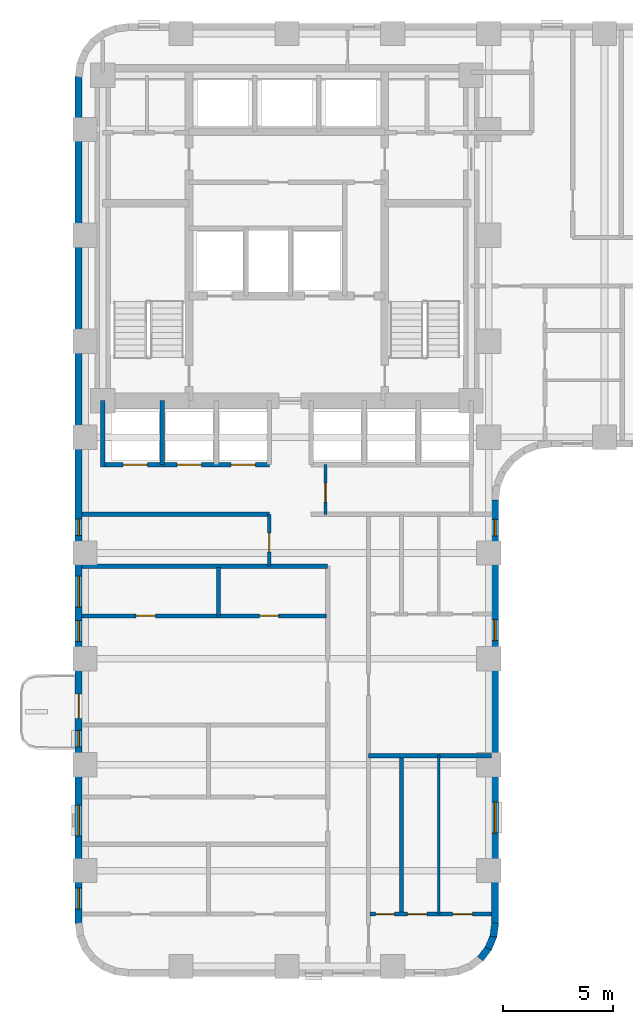
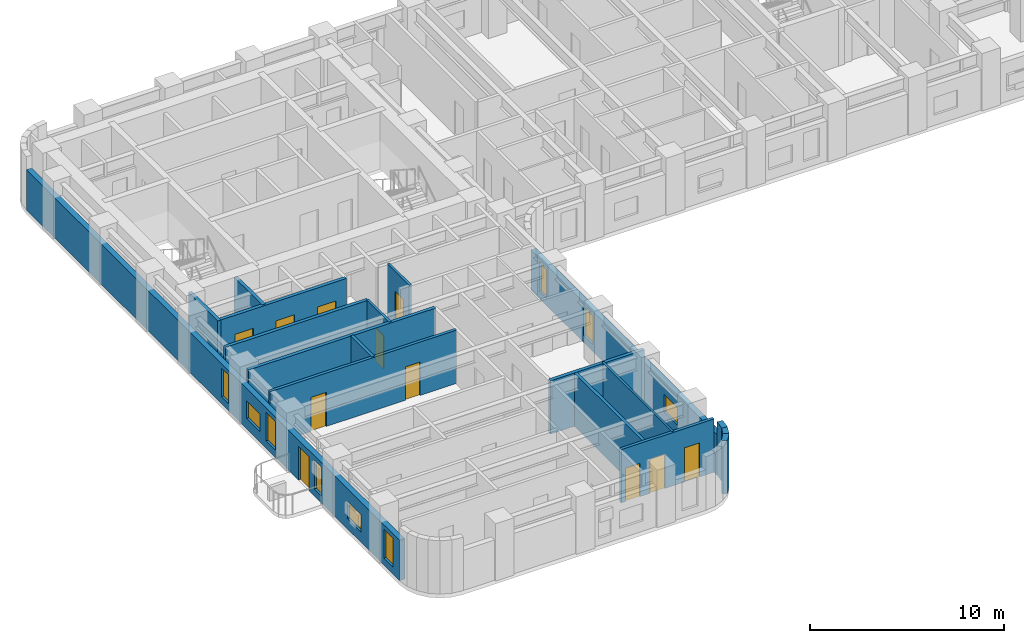
# One storey, part 3 of 11: 18 walls, 11 doors, 9 windows, 20 openings.
"""IFC4 building model written with IfcOpenShell, lengths in metres."""

from ifc_helpers import new_model, si_unit, direction, frame, frame_2d, origin, place, context, subcontext, project, spatial, rectangle, extrude, material, layer, layer_set, type_object, element, fill, save


model = new_model("IFC4")

# Units and contexts
model_context = context("Model", 3, precision=1e-05, world=origin(), true_north=direction((0.0, 1.0)))
body_context = subcontext(model_context, "Body", "Model", "MODEL_VIEW")
ifc_project = project(units=[si_unit("LENGTHUNIT", "METRE"), si_unit("AREAUNIT", "SQUARE_METRE"), si_unit("VOLUMEUNIT", "CUBIC_METRE"), si_unit("PLANEANGLEUNIT", "RADIAN"), si_unit("MASSUNIT", "GRAM", prefix="KILO")], contexts=[model_context])

# Site, building, storey
site_placement = place(None, origin())
site = spatial("IfcSite", under=ifc_project, at=site_placement, CompositionType="ELEMENT")
building_placement = place(site_placement, origin())
building = spatial("IfcBuilding", under=site, at=building_placement, Name="Orvandelia Arch Residences", CompositionType="ELEMENT")
storey_placement = place(building_placement, frame((0.0, 0.0, 46.60009765625)))
storey = spatial("IfcBuildingStorey", under=building, at=storey_placement, Name="L11", CompositionType="ELEMENT", Elevation=46.60009765625)

# Walls
ifc_material_1 = material(Name="Fire-Rated Corridor Partition")
ifc_layer_1 = layer(ifc_material_1, 0.199951171875, Name="Fire-Rated Corridor Partition")
ifc_layer_set_1 = layer_set([ifc_layer_1], Name="Fire-Rated Corridor Partition")
wall_type_1 = type_object("IfcWallType", Name="WL-CORR-200", PredefinedType="PARTITIONING", material=ifc_layer_set_1)
wall_1_placement = place(storey_placement, frame((5.1201171875, 23.39990234375, 0.0), z_axis=(0.0, 0.0, 1.0), x_axis=(1.0, 0.0, 0.0)))
element("IfcWall", 1, at=wall_1_placement, inside=storey, type_object=wall_type_1, Name="Interior Partition Wall WL-L11-WLNK-S", PredefinedType="PARTITIONING", context=body_context, shape_type="SweptSolid", body=[
    extrude(rectangle(XDim=11.1298828125, YDim=0.199951171875, at=frame_2d((5.56494140625, 0.0))), origin(), (0.0, 0.0, 1.0), 3.349853515625),
])
wall_2_placement = place(storey_placement, frame((5.1201171875, 25.75, 0.0), z_axis=(0.0, 0.0, 1.0), x_axis=(1.0, 0.0, 0.0)))
element("IfcWall", 2, at=wall_2_placement, inside=storey, type_object=wall_type_1, Name="Interior Partition Wall WL-L11-WLNK-NW2", PredefinedType="PARTITIONING", context=body_context, shape_type="SweptSolid", body=[
    extrude(rectangle(XDim=8.47998046875, YDim=0.199951171875, at=frame_2d((4.239990234375, 0.0))), origin(), (0.0, 0.0, 1.0), 3.349853515625),
])
ifc_material_2 = material(Name="Concrete C40/50", Category="concrete")
ifc_layer_2 = layer(ifc_material_2, 0.199951171875, Name="Concrete C40/50", Category="concrete")
ifc_layer_set_2 = layer_set([ifc_layer_2], Name="Concrete C40/50")
wall_type_2 = type_object("IfcWallType", Name="WL-DEM-200", PredefinedType="SOLIDWALL", material=ifc_layer_set_2)
wall_3_placement = place(storey_placement, frame((18.10009765625, 14.800048828125, 0.0), z_axis=(0.0, 0.0, 1.0), x_axis=(1.0, 0.0, 0.0)))
element("IfcWall", 3, at=wall_3_placement, inside=storey, type_object=wall_type_2, Name="Interior Partition Wall WL-L11-DEM-WR-148", PredefinedType="SOLIDWALL", context=body_context, shape_type="SweptSolid", body=[
    extrude(rectangle(XDim=5.579833984375, YDim=0.199951171875, at=frame_2d((2.7900390625, 0.0))), origin(), (0.0, 0.0, 1.0), 3.349853515625),
])

# Wall, openings, windows
ifc_material_3 = material(Name="Precast concrete C40/50", Category="concrete")
ifc_layer_3 = layer(ifc_material_3, 0.320068359375, Name="Precast concrete C40/50", Category="concrete")
ifc_layer_set_3 = layer_set([ifc_layer_3], Name="Precast concrete C40/50")
wall_type_3 = type_object("IfcWallType", Name="WL-EXT-STONE-320", PredefinedType="STANDARD", material=ifc_layer_set_3)
wall_4_placement = place(storey_placement, frame((23.840087890625, 26.39990234375, 0.0), z_axis=(0.0, 0.0, 1.0), x_axis=(0.0, -1.0, 0.0)))
wall_4 = element("IfcWall", 4, at=wall_4_placement, inside=storey, type_object=wall_type_3, Name="Coral-Limestone Precast Facade Wall L11-028", PredefinedType="STANDARD", context=body_context, shape_type="SweptSolid", body=[
    extrude(rectangle(XDim=19.199951171875, YDim=0.320068359375, at=frame_2d((9.60009765625, 0.0))), origin(), (0.0, 0.0, 1.0), 2.52978515625),
])
opening_1_placement = place(wall_4_placement, frame((13.699951171875, 0.0, 0.64990234375)))
opening_1 = element("IfcOpeningElement", 5, at=opening_1_placement, cuts=wall_4, Name="Opening W10", PredefinedType="OPENING", context=body_context, shape_type="SweptSolid", body=[
    extrude(rectangle(XDim=1.39990234375, YDim=1.10009765625, at=frame_2d((0.699951171875, 0.550048828125))), frame((0.0, 0.169921875, 0.0), z_axis=(0.0, -1.0, 0.0), x_axis=(1.0, 0.0, 0.0)), (0.0, 0.0, 1.0), 0.340087890625),
])
opening_2_placement = place(wall_4_placement, frame((0.8798828125, 0.0, 0.449951171875)))
opening_2 = element("IfcOpeningElement", 6, at=opening_2_placement, cuts=wall_4, Name="Opening W11", PredefinedType="OPENING", context=body_context, shape_type="SweptSolid", body=[
    extrude(rectangle(XDim=0.75, YDim=1.800048828125, at=frame_2d((0.375, 0.89990234375))), frame((0.0, 0.169921875, 0.0), z_axis=(0.0, -1.0, 0.0), x_axis=(1.0, 0.0, 0.0)), (0.0, 0.0, 1.0), 0.340087890625),
])
opening_3_placement = place(wall_4_placement, frame((5.427978515625, 0.0, 0.449951171875)))
opening_3 = element("IfcOpeningElement", 7, at=opening_3_placement, cuts=wall_4, Name="Opening W4", PredefinedType="OPENING", context=body_context, shape_type="SweptSolid", body=[
    extrude(rectangle(XDim=0.949951171875, YDim=1.800048828125, at=frame_2d((0.47509765625, 0.89990234375))), frame((0.0, 0.169921875, 0.0), z_axis=(0.0, -1.0, 0.0), x_axis=(1.0, 0.0, 0.0)), (0.0, 0.0, 1.0), 0.340087890625),
])
ifc_material_4 = material(Name="Tempered Low-E Insulated Glazing", Category="glass")
window_type_1 = type_object("IfcWindowType", Name="WIN-BED-0750x1800", PartitioningType="SINGLE_PANEL", PredefinedType="WINDOW", material=ifc_material_4)
window_1_placement = place(opening_2_placement, origin())
window_1 = element("IfcWindow", 8, at=window_1_placement, inside=storey, type_object=window_type_1, Name="Recessed Punched Window L11-022", OverallHeight=1.800048828125, OverallWidth=0.75, PartitioningType="SINGLE_PANEL", PredefinedType="WINDOW", context=body_context, shape_type="SweptSolid", body=[
    extrude(rectangle(XDim=0.75, YDim=1.800048828125, at=frame_2d((0.375, 0.89990234375))), frame((0.0, 0.030029296875, 0.0), z_axis=(0.0, -1.0, 0.0), x_axis=(1.0, 0.0, 0.0)), (0.0, 0.0, 1.0), 0.06005859375),
])
fill(opening_2, window_1)
window_type_2 = type_object("IfcWindowType", Name="WIN-CLR-1400x1100", PartitioningType="SINGLE_PANEL", PredefinedType="WINDOW", material=ifc_material_4)
window_2_placement = place(opening_1_placement, origin())
window_2 = element("IfcWindow", 9, at=window_2_placement, inside=storey, type_object=window_type_2, Name="Recessed Punched Window L11-021", OverallHeight=1.10009765625, OverallWidth=1.39990234375, PartitioningType="SINGLE_PANEL", PredefinedType="WINDOW", context=body_context, shape_type="SweptSolid", body=[
    extrude(rectangle(XDim=1.39990234375, YDim=1.10009765625, at=frame_2d((0.699951171875, 0.550048828125))), frame((0.0, 0.030029296875, 0.0), z_axis=(0.0, -1.0, 0.0), x_axis=(1.0, 0.0, 0.0)), (0.0, 0.0, 1.0), 0.06005859375),
])
fill(opening_1, window_2)
window_type_3 = type_object("IfcWindowType", Name="WIN-RES-0950x1800", PartitioningType="SINGLE_PANEL", PredefinedType="WINDOW", material=ifc_material_4)
window_3_placement = place(opening_3_placement, origin())
window_3 = element("IfcWindow", 10, at=window_3_placement, inside=storey, type_object=window_type_3, Name="Recessed Punched Window L11-023", OverallHeight=1.800048828125, OverallWidth=0.949951171875, PartitioningType="SINGLE_PANEL", PredefinedType="WINDOW", context=body_context, shape_type="SweptSolid", body=[
    extrude(rectangle(XDim=0.949951171875, YDim=1.800048828125, at=frame_2d((0.47509765625, 0.89990234375))), frame((0.0, 0.030029296875, 0.0), z_axis=(0.0, -1.0, 0.0), x_axis=(1.0, 0.0, 0.0)), (0.0, 0.0, 1.0), 0.06005859375),
])
fill(opening_3, window_3)

# Walls
wall_5_placement = place(storey_placement, frame((23.84130859375, 7.220947265625, 0.0), z_axis=(0.0, 0.0, 1.0), x_axis=(-0.130504898859, -0.991447664465, 0.0)))
element("IfcWall", 11, at=wall_5_placement, inside=storey, type_object=wall_type_3, Name="Coral-Limestone Precast Facade Wall L11-029", PredefinedType="STANDARD", context=body_context, shape_type="SweptSolid", body=[
    extrude(rectangle(XDim=0.626708984375, YDim=0.320068359375, at=frame_2d((0.3134765625, 0.0))), origin(), (0.0, 0.0, 1.0), 3.349853515625),
])
wall_6_placement = place(storey_placement, frame((23.7705078125, 6.639892578125, 0.0), z_axis=(0.0, 0.0, 1.0), x_axis=(-0.382787856107, -0.923836271867, 0.0)))
element("IfcWall", 12, at=wall_6_placement, inside=storey, type_object=wall_type_3, Name="Coral-Limestone Precast Facade Wall L11-030", PredefinedType="STANDARD", context=body_context, shape_type="SweptSolid", body=[
    extrude(rectangle(XDim=0.626220703125, YDim=0.320068359375, at=frame_2d((0.31298828125, 0.0))), origin(), (0.0, 0.0, 1.0), 3.349853515625),
])
wall_7_placement = place(storey_placement, frame((23.551513671875, 6.097412109375, 0.0), z_axis=(0.0, 0.0, 1.0), x_axis=(-0.608693302629, -0.793405610854, 0.0)))
element("IfcWall", 13, at=wall_7_placement, inside=storey, type_object=wall_type_3, Name="Coral-Limestone Precast Facade Wall L11-031", PredefinedType="STANDARD", context=body_context, shape_type="SweptSolid", body=[
    extrude(rectangle(XDim=0.62646484375, YDim=0.320068359375, at=frame_2d((0.313232421875, 0.0))), origin(), (0.0, 0.0, 1.0), 3.349853515625),
])

# Wall, openings, door, windows
wall_8_placement = place(storey_placement, frame((4.9599609375, 7.199951171875, 0.0), z_axis=(0.0, 0.0, 1.0), x_axis=(0.0, 1.0, 0.0)))
wall_8 = element("IfcWall", 14, at=wall_8_placement, inside=storey, type_object=wall_type_3, Name="Coral-Limestone Precast Facade Wall L11-042", PredefinedType="STANDARD", context=body_context, shape_type="SweptSolid", body=[
    extrude(rectangle(XDim=38.400146484375, YDim=0.320068359375, at=frame_2d((19.2001953125, 0.0))), origin(), (0.0, 0.0, 1.0), 2.52978515625),
])
opening_4_placement = place(wall_8_placement, frame((9.300048828125, 0.0, 0.0)))
opening_4 = element("IfcOpeningElement", 15, at=opening_4_placement, cuts=wall_8, Name="Opening BD1", PredefinedType="OPENING", context=body_context, shape_type="SweptSolid", body=[
    extrude(rectangle(XDim=1.10009765625, YDim=2.14990234375, at=frame_2d((0.550048828125, 1.074951171875))), frame((0.0, 0.169921875, 0.0), z_axis=(0.0, -1.0, 0.0), x_axis=(1.0, 0.0, 0.0)), (0.0, 0.0, 1.0), 0.340087890625),
])
opening_5_placement = place(wall_8_placement, frame((3.969970703125, 0.0, 0.64990234375)))
opening_5 = element("IfcOpeningElement", 16, at=opening_5_placement, cuts=wall_8, Name="Opening W10", PredefinedType="OPENING", context=body_context, shape_type="SweptSolid", body=[
    extrude(rectangle(XDim=1.39990234375, YDim=1.10009765625, at=frame_2d((0.699951171875, 0.550048828125))), frame((0.0, 0.169921875, 0.0), z_axis=(0.0, -1.0, 0.0), x_axis=(1.0, 0.0, 0.0)), (0.0, 0.0, 1.0), 0.340087890625),
])
opening_6_placement = place(wall_8_placement, frame((12.785400390625, 0.0, 0.449951171875)))
opening_6 = element("IfcOpeningElement", 17, at=opening_6_placement, cuts=wall_8, Name="Opening W4", PredefinedType="OPENING", context=body_context, shape_type="SweptSolid", body=[
    extrude(rectangle(XDim=0.949951171875, YDim=1.800048828125, at=frame_2d((0.47509765625, 0.89990234375))), frame((0.0, 0.169921875, 0.0), z_axis=(0.0, -1.0, 0.0), x_axis=(1.0, 0.0, 0.0)), (0.0, 0.0, 1.0), 0.340087890625),
])
opening_7_placement = place(wall_8_placement, frame((0.652099609375, 0.0, 0.449951171875)))
opening_7 = element("IfcOpeningElement", 18, at=opening_7_placement, cuts=wall_8, Name="Opening W4", PredefinedType="OPENING", context=body_context, shape_type="SweptSolid", body=[
    extrude(rectangle(XDim=0.949951171875, YDim=1.800048828125, at=frame_2d((0.47509765625, 0.89990234375))), frame((0.0, 0.169921875, 0.0), z_axis=(0.0, -1.0, 0.0), x_axis=(1.0, 0.0, 0.0)), (0.0, 0.0, 1.0), 0.340087890625),
])
opening_8_placement = place(wall_8_placement, frame((8.010009765625, 0.0, 0.449951171875)))
opening_8 = element("IfcOpeningElement", 19, at=opening_8_placement, cuts=wall_8, Name="Opening W11", PredefinedType="OPENING", context=body_context, shape_type="SweptSolid", body=[
    extrude(rectangle(XDim=0.75, YDim=1.800048828125, at=frame_2d((0.375, 0.89990234375))), frame((0.0, 0.169921875, 0.0), z_axis=(0.0, -1.0, 0.0), x_axis=(1.0, 0.0, 0.0)), (0.0, 0.0, 1.0), 0.340087890625),
])
opening_9_placement = place(wall_8_placement, frame((14.345458984375, 0.0, 0.64990234375)))
opening_9 = element("IfcOpeningElement", 20, at=opening_9_placement, cuts=wall_8, Name="Opening W10", PredefinedType="OPENING", context=body_context, shape_type="SweptSolid", body=[
    extrude(rectangle(XDim=1.39990234375, YDim=1.10009765625, at=frame_2d((0.699951171875, 0.550048828125))), frame((0.0, 0.169921875, 0.0), z_axis=(0.0, -1.0, 0.0), x_axis=(1.0, 0.0, 0.0)), (0.0, 0.0, 1.0), 0.340087890625),
])
opening_10_placement = place(wall_8_placement, frame((17.580078125, 0.0, 0.449951171875)))
opening_10 = element("IfcOpeningElement", 21, at=opening_10_placement, cuts=wall_8, Name="Opening W11", PredefinedType="OPENING", context=body_context, shape_type="SweptSolid", body=[
    extrude(rectangle(XDim=0.75, YDim=1.800048828125, at=frame_2d((0.375, 0.89990234375))), frame((0.0, 0.169921875, 0.0), z_axis=(0.0, -1.0, 0.0), x_axis=(1.0, 0.0, 0.0)), (0.0, 0.0, 1.0), 0.340087890625),
])
ifc_material_5 = material(Name="Thermally Broken Aluminium Glazed Door", Category="aluminium")
door_type_1 = type_object("IfcDoorType", Name="DR-BAL-GLAZ-1100", OperationType="NOTDEFINED", PredefinedType="DOOR", material=ifc_material_5)
door_1_placement = place(opening_4_placement, origin())
door_1 = element("IfcDoor", 22, at=door_1_placement, inside=storey, type_object=door_type_1, Name="Tree Balcony Glazed Door BAL-L11-W1", OperationType="SINGLE_SWING_RIGHT", OverallHeight=2.14990234375, OverallWidth=1.10009765625, PredefinedType="DOOR", context=body_context, shape_type="SweptSolid", body=[
    extrude(rectangle(XDim=1.10009765625, YDim=2.14990234375, at=frame_2d((0.550048828125, 1.074951171875))), frame((0.0, 0.02490234375, 0.0), z_axis=(0.0, -1.0, 0.0), x_axis=(1.0, 0.0, 0.0)), (0.0, 0.0, 1.0), 0.050048828125),
])
fill(opening_4, door_1)
window_4_placement = place(opening_8_placement, origin())
window_4 = element("IfcWindow", 23, at=window_4_placement, inside=storey, type_object=window_type_1, Name="Recessed Punched Window L11-030", OverallHeight=1.800048828125, OverallWidth=0.75, PartitioningType="SINGLE_PANEL", PredefinedType="WINDOW", context=body_context, shape_type="SweptSolid", body=[
    extrude(rectangle(XDim=0.75, YDim=1.800048828125, at=frame_2d((0.375, 0.89990234375))), frame((0.0, 0.030029296875, 0.0), z_axis=(0.0, -1.0, 0.0), x_axis=(1.0, 0.0, 0.0)), (0.0, 0.0, 1.0), 0.06005859375),
])
fill(opening_8, window_4)
window_5_placement = place(opening_10_placement, origin())
window_5 = element("IfcWindow", 24, at=window_5_placement, inside=storey, type_object=window_type_1, Name="Recessed Punched Window L11-032", OverallHeight=1.800048828125, OverallWidth=0.75, PartitioningType="SINGLE_PANEL", PredefinedType="WINDOW", context=body_context, shape_type="SweptSolid", body=[
    extrude(rectangle(XDim=0.75, YDim=1.800048828125, at=frame_2d((0.375, 0.89990234375))), frame((0.0, 0.030029296875, 0.0), z_axis=(0.0, -1.0, 0.0), x_axis=(1.0, 0.0, 0.0)), (0.0, 0.0, 1.0), 0.06005859375),
])
fill(opening_10, window_5)
window_6_placement = place(opening_5_placement, origin())
window_6 = element("IfcWindow", 25, at=window_6_placement, inside=storey, type_object=window_type_2, Name="Recessed Punched Window L11-027", OverallHeight=1.10009765625, OverallWidth=1.39990234375, PartitioningType="SINGLE_PANEL", PredefinedType="WINDOW", context=body_context, shape_type="SweptSolid", body=[
    extrude(rectangle(XDim=1.39990234375, YDim=1.10009765625, at=frame_2d((0.699951171875, 0.550048828125))), frame((0.0, 0.030029296875, 0.0), z_axis=(0.0, -1.0, 0.0), x_axis=(1.0, 0.0, 0.0)), (0.0, 0.0, 1.0), 0.06005859375),
])
fill(opening_5, window_6)
window_7_placement = place(opening_9_placement, origin())
window_7 = element("IfcWindow", 26, at=window_7_placement, inside=storey, type_object=window_type_2, Name="Recessed Punched Window L11-031", OverallHeight=1.10009765625, OverallWidth=1.39990234375, PartitioningType="SINGLE_PANEL", PredefinedType="WINDOW", context=body_context, shape_type="SweptSolid", body=[
    extrude(rectangle(XDim=1.39990234375, YDim=1.10009765625, at=frame_2d((0.699951171875, 0.550048828125))), frame((0.0, 0.030029296875, 0.0), z_axis=(0.0, -1.0, 0.0), x_axis=(1.0, 0.0, 0.0)), (0.0, 0.0, 1.0), 0.06005859375),
])
fill(opening_9, window_7)
window_8_placement = place(opening_6_placement, origin())
window_8 = element("IfcWindow", 27, at=window_8_placement, inside=storey, type_object=window_type_3, Name="Recessed Punched Window L11-028", OverallHeight=1.800048828125, OverallWidth=0.949951171875, PartitioningType="SINGLE_PANEL", PredefinedType="WINDOW", context=body_context, shape_type="SweptSolid", body=[
    extrude(rectangle(XDim=0.949951171875, YDim=1.800048828125, at=frame_2d((0.47509765625, 0.89990234375))), frame((0.0, 0.030029296875, 0.0), z_axis=(0.0, -1.0, 0.0), x_axis=(1.0, 0.0, 0.0)), (0.0, 0.0, 1.0), 0.06005859375),
])
fill(opening_6, window_8)
window_9_placement = place(opening_7_placement, origin())
window_9 = element("IfcWindow", 28, at=window_9_placement, inside=storey, type_object=window_type_3, Name="Recessed Punched Window L11-029", OverallHeight=1.800048828125, OverallWidth=0.949951171875, PartitioningType="SINGLE_PANEL", PredefinedType="WINDOW", context=body_context, shape_type="SweptSolid", body=[
    extrude(rectangle(XDim=0.949951171875, YDim=1.800048828125, at=frame_2d((0.47509765625, 0.89990234375))), frame((0.0, 0.030029296875, 0.0), z_axis=(0.0, -1.0, 0.0), x_axis=(1.0, 0.0, 0.0)), (0.0, 0.0, 1.0), 0.06005859375),
])
fill(opening_7, window_9)

# Wall
ifc_material_6 = material(Name="Lightweight Gypsum Stud Partition")
ifc_layer_4 = layer(ifc_material_6, 0.1201171875, Name="Lightweight Gypsum Stud Partition")
ifc_layer_set_4 = layer_set([ifc_layer_4], Name="Lightweight Gypsum Stud Partition")
wall_type_4 = type_object("IfcWallType", Name="WL-PART-120", PredefinedType="PARTITIONING", material=ifc_layer_set_4)
wall_9_placement = place(storey_placement, frame((21.284912109375, 7.6259765625, 0.0), z_axis=(0.0, 0.0, 1.0), x_axis=(0.0, 1.0, 0.0)))
element("IfcWall", 29, at=wall_9_placement, inside=storey, type_object=wall_type_4, Name="Interior Partition Wall WL-L11-U04-V2", PredefinedType="PARTITIONING", context=body_context, shape_type="SweptSolid", body=[
    extrude(rectangle(XDim=7.214111328125, YDim=0.1201171875, at=frame_2d((3.60693359375, 0.0))), origin(), (0.0, 0.0, 1.0), 3.349853515625),
])

# Wall, opening, door
ifc_material_7 = material(Name="Acoustic Gypsum Stud Partition")
ifc_layer_5 = layer(ifc_material_7, 0.14990234375, Name="Acoustic Gypsum Stud Partition")
ifc_layer_set_5 = layer_set([ifc_layer_5], Name="Acoustic Gypsum Stud Partition")
wall_type_5 = type_object("IfcWallType", Name="WL-PART-150", PredefinedType="PARTITIONING", material=ifc_layer_set_5)
wall_10_placement = place(storey_placement, frame((16.14990234375, 25.75, 0.0), z_axis=(0.0, 0.0, 1.0), x_axis=(0.0, 1.0, 0.0)))
wall_10 = element("IfcWall", 30, at=wall_10_placement, inside=storey, type_object=wall_type_5, Name="Interior Partition Wall WL-L11-HLS-EW", PredefinedType="PARTITIONING", context=body_context, shape_type="SweptSolid", body=[
    extrude(rectangle(XDim=2.25, YDim=0.14990234375, at=frame_2d((1.125, 0.0))), origin(), (0.0, 0.0, 1.0), 3.349853515625),
])
opening_11_placement = place(wall_10_placement, frame((0.550048828125, 0.0, 0.0)))
opening_11 = element("IfcOpeningElement", 31, at=opening_11_placement, cuts=wall_10, Name="Opening D5", PredefinedType="OPENING", context=body_context, shape_type="SweptSolid", body=[
    extrude(rectangle(XDim=0.8798828125, YDim=2.10009765625, at=frame_2d((0.43994140625, 1.050048828125))), frame((0.0, 0.0849609375, 0.0), z_axis=(0.0, -1.0, 0.0), x_axis=(1.0, 0.0, 0.0)), (0.0, 0.0, 1.0), 0.169921875),
])
ifc_material_8 = material(Name="Painted Galvanised Steel Service Door", Category="steel")
door_type_2 = type_object("IfcDoorType", Name="DR-SRV-880", OperationType="NOTDEFINED", PredefinedType="DOOR", material=ifc_material_8)
door_2_placement = place(opening_11_placement, origin())
door_2 = element("IfcDoor", 32, at=door_2_placement, inside=storey, type_object=door_type_2, Name="DR-L11-CSZ1A", OperationType="SINGLE_SWING_LEFT", OverallHeight=2.10009765625, OverallWidth=0.8798828125, PredefinedType="DOOR", context=body_context, shape_type="SweptSolid", body=[
    extrude(rectangle(XDim=0.8798828125, YDim=2.10009765625, at=frame_2d((0.43994140625, 1.050048828125))), frame((0.0, 0.02490234375, 0.0), z_axis=(0.0, -1.0, 0.0), x_axis=(1.0, 0.0, 0.0)), (0.0, 0.0, 1.0), 0.050048828125),
])
fill(opening_11, door_2)

wall_11_placement = place(storey_placement, frame((13.60009765625, 23.39990234375, 0.0), z_axis=(0.0, 0.0, 1.0), x_axis=(0.0, 1.0, 0.0)))
wall_11 = element("IfcWall", 33, at=wall_11_placement, inside=storey, type_object=wall_type_5, Name="Interior Partition Wall WL-L11-WLNK-W", PredefinedType="PARTITIONING", context=body_context, shape_type="SweptSolid", body=[
    extrude(rectangle(XDim=2.35009765625, YDim=0.14990234375, at=frame_2d((1.175048828125, 0.0))), origin(), (0.0, 0.0, 1.0), 3.349853515625),
])
opening_12_placement = place(wall_11_placement, frame((0.64990234375, 0.0, 0.0)))
opening_12 = element("IfcOpeningElement", 34, at=opening_12_placement, cuts=wall_11, Name="Opening D4", PredefinedType="OPENING", context=body_context, shape_type="SweptSolid", body=[
    extrude(rectangle(XDim=0.860107421875, YDim=2.10009765625, at=frame_2d((0.43017578125, 1.050048828125))), frame((0.0, 0.0849609375, 0.0), z_axis=(0.0, -1.0, 0.0), x_axis=(1.0, 0.0, 0.0)), (0.0, 0.0, 1.0), 0.169921875),
])
ifc_material_9 = material(Name="Moisture-Sealed Timber Bathroom Door", Category="wood")
door_type_3 = type_object("IfcDoorType", Name="DR-WET-900", OperationType="NOTDEFINED", PredefinedType="DOOR", material=ifc_material_9)
door_3_placement = place(opening_12_placement, origin())
door_3 = element("IfcDoor", 35, at=door_3_placement, inside=storey, type_object=door_type_3, Name="DR-L11-WLNKST", OperationType="SINGLE_SWING_LEFT", OverallHeight=2.10009765625, OverallWidth=0.860107421875, PredefinedType="DOOR", context=body_context, shape_type="SweptSolid", body=[
    extrude(rectangle(XDim=0.860107421875, YDim=2.10009765625, at=frame_2d((0.43017578125, 1.050048828125))), frame((0.0, 0.02490234375, 0.0), z_axis=(0.0, -1.0, 0.0), x_axis=(1.0, 0.0, 0.0)), (0.0, 0.0, 1.0), 0.050048828125),
])
fill(opening_12, door_3)

# Wall, openings, doors
ifc_material_10 = material(Name="Fire-Rated Shaft Enclosure Wall")
ifc_layer_6 = layer(ifc_material_10, 0.199951171875, Name="Fire-Rated Shaft Enclosure Wall")
ifc_layer_set_6 = layer_set([ifc_layer_6], Name="Fire-Rated Shaft Enclosure Wall")
wall_type_6 = type_object("IfcWallType", Name="WL-SHAFT-200", PredefinedType="POLYGONAL", material=ifc_layer_set_6)
wall_12_placement = place(storey_placement, frame((6.050048828125, 28.0, 0.0), z_axis=(0.0, 0.0, 1.0), x_axis=(1.0, 0.0, 0.0)))
wall_12 = element("IfcWall", 36, at=wall_12_placement, inside=storey, type_object=wall_type_6, Name="Interior Partition Wall WL-L11-BNKL-S", PredefinedType="POLYGONAL", context=body_context, shape_type="SweptSolid", body=[
    extrude(rectangle(XDim=7.550048828125, YDim=0.199951171875, at=frame_2d((3.77490234375, 0.0))), origin(), (0.0, 0.0, 1.0), 3.349853515625),
])
opening_13_placement = place(wall_12_placement, frame((0.925048828125, 0.0, 0.0)))
opening_13 = element("IfcOpeningElement", 37, at=opening_13_placement, cuts=wall_12, Name="Opening LD", PredefinedType="OPENING", context=body_context, shape_type="SweptSolid", body=[
    extrude(rectangle(XDim=1.10009765625, YDim=2.14990234375, at=frame_2d((0.550048828125, 1.074951171875))), frame((0.0, 0.10986328125, 0.0), z_axis=(0.0, -1.0, 0.0), x_axis=(1.0, 0.0, 0.0)), (0.0, 0.0, 1.0), 0.219970703125),
])
opening_14_placement = place(wall_12_placement, frame((3.375, 0.0, 0.0)))
opening_14 = element("IfcOpeningElement", 38, at=opening_14_placement, cuts=wall_12, Name="Opening LD", PredefinedType="OPENING", context=body_context, shape_type="SweptSolid", body=[
    extrude(rectangle(XDim=1.10009765625, YDim=2.14990234375, at=frame_2d((0.550048828125, 1.074951171875))), frame((0.0, 0.10986328125, 0.0), z_axis=(0.0, -1.0, 0.0), x_axis=(1.0, 0.0, 0.0)), (0.0, 0.0, 1.0), 0.219970703125),
])
opening_15_placement = place(wall_12_placement, frame((5.824951171875, 0.0, 0.0)))
opening_15 = element("IfcOpeningElement", 39, at=opening_15_placement, cuts=wall_12, Name="Opening LD", PredefinedType="OPENING", context=body_context, shape_type="SweptSolid", body=[
    extrude(rectangle(XDim=1.10009765625, YDim=2.14990234375, at=frame_2d((0.550048828125, 1.074951171875))), frame((0.0, 0.10986328125, 0.0), z_axis=(0.0, -1.0, 0.0), x_axis=(1.0, 0.0, 0.0)), (0.0, 0.0, 1.0), 0.219970703125),
])
ifc_material_11 = material(Name="Brushed Stainless Steel Sliding Lift Door", Category="steel")
door_type_4 = type_object("IfcDoorType", Name="DR-LIFT-1100", OperationType="NOTDEFINED", PredefinedType="DOOR", material=ifc_material_11)
door_4_placement = place(opening_13_placement, origin())
door_4 = element("IfcDoor", 40, at=door_4_placement, inside=storey, type_object=door_type_4, Name="Lift Landing Door LD-PL1", OperationType="SLIDING_TO_LEFT", OverallHeight=2.14990234375, OverallWidth=1.10009765625, PredefinedType="DOOR", context=body_context, shape_type="SweptSolid", body=[
    extrude(rectangle(XDim=1.10009765625, YDim=2.14990234375, at=frame_2d((0.550048828125, 1.074951171875))), frame((0.0, 0.02490234375, 0.0), z_axis=(0.0, -1.0, 0.0), x_axis=(1.0, 0.0, 0.0)), (0.0, 0.0, 1.0), 0.050048828125),
])
fill(opening_13, door_4)
door_5_placement = place(opening_14_placement, origin())
door_5 = element("IfcDoor", 41, at=door_5_placement, inside=storey, type_object=door_type_4, Name="Lift Landing Door LD-PL2", OperationType="SLIDING_TO_RIGHT", OverallHeight=2.14990234375, OverallWidth=1.10009765625, PredefinedType="DOOR", context=body_context, shape_type="SweptSolid", body=[
    extrude(rectangle(XDim=1.10009765625, YDim=2.14990234375, at=frame_2d((0.550048828125, 1.074951171875))), frame((0.0, 0.02490234375, 0.0), z_axis=(0.0, -1.0, 0.0), x_axis=(1.0, 0.0, 0.0)), (0.0, 0.0, 1.0), 0.050048828125),
])
fill(opening_14, door_5)
door_6_placement = place(opening_15_placement, origin())
door_6 = element("IfcDoor", 42, at=door_6_placement, inside=storey, type_object=door_type_4, Name="Lift Landing Door LD-PL3", OperationType="SLIDING_TO_LEFT", OverallHeight=2.14990234375, OverallWidth=1.10009765625, PredefinedType="DOOR", context=body_context, shape_type="SweptSolid", body=[
    extrude(rectangle(XDim=1.10009765625, YDim=2.14990234375, at=frame_2d((0.550048828125, 1.074951171875))), frame((0.0, 0.02490234375, 0.0), z_axis=(0.0, -1.0, 0.0), x_axis=(1.0, 0.0, 0.0)), (0.0, 0.0, 1.0), 0.050048828125),
])
fill(opening_15, door_6)

# Walls
wall_13_placement = place(storey_placement, frame((6.050048828125, 27.89990234375, 0.0), z_axis=(0.0, 0.0, 1.0), x_axis=(0.0, 1.0, 0.0)))
element("IfcWall", 43, at=wall_13_placement, inside=storey, type_object=wall_type_6, Name="Interior Partition Wall WL-L11-BNKL-W", PredefinedType="POLYGONAL", context=body_context, shape_type="SweptSolid", body=[
    extrude(rectangle(XDim=3.0, YDim=0.199951171875, at=frame_2d((1.5, 0.0))), origin(), (0.0, 0.0, 1.0), 3.349853515625),
])
wall_14_placement = place(storey_placement, frame((8.75, 28.0, 0.0), z_axis=(0.0, 0.0, 1.0), x_axis=(0.0, 1.0, 0.0)))
element("IfcWall", 44, at=wall_14_placement, inside=storey, type_object=wall_type_6, Name="Interior Partition Wall WL-L11-BNKD-875", PredefinedType="POLYGONAL", context=body_context, shape_type="SweptSolid", body=[
    extrude(rectangle(XDim=2.89990234375, YDim=0.199951171875, at=frame_2d((1.449951171875, 0.0))), origin(), (0.0, 0.0, 1.0), 3.349853515625),
])

# Wall, openings, doors
ifc_material_12 = material(Name="Moisture-Resistant Plumbing Wall")
ifc_layer_7 = layer(ifc_material_12, 0.179931640625, Name="Moisture-Resistant Plumbing Wall")
ifc_layer_set_7 = layer_set([ifc_layer_7], Name="Moisture-Resistant Plumbing Wall")
wall_type_7 = type_object("IfcWallType", Name="WL-WET-180", PredefinedType="PLUMBINGWALL", material=ifc_layer_set_7)
wall_15_placement = place(storey_placement, frame((5.1201171875, 21.15087890625, 0.0), z_axis=(0.0, 0.0, 1.0), x_axis=(1.0, 0.0, 0.0)))
wall_15 = element("IfcWall", 45, at=wall_15_placement, inside=storey, type_object=wall_type_7, Name="Interior Partition Wall WL-L11-U03-HZ", PredefinedType="PLUMBINGWALL", context=body_context, shape_type="SweptSolid", body=[
    extrude(rectangle(XDim=11.06982421875, YDim=0.179931640625, at=frame_2d((5.534912109375, 0.0))), origin(), (0.0, 0.0, 1.0), 3.349853515625),
])
opening_16_placement = place(wall_15_placement, frame((2.431396484375, 0.0, 0.0)))
opening_16 = element("IfcOpeningElement", 46, at=opening_16_placement, cuts=wall_15, Name="Opening D3", PredefinedType="OPENING", context=body_context, shape_type="SweptSolid", body=[
    extrude(rectangle(XDim=0.89990234375, YDim=2.14990234375, at=frame_2d((0.449951171875, 1.074951171875))), frame((0.0, 0.10009765625, 0.0), z_axis=(0.0, -1.0, 0.0), x_axis=(1.0, 0.0, 0.0)), (0.0, 0.0, 1.0), 0.199951171875),
])
opening_17_placement = place(wall_15_placement, frame((8.04638671875, 0.0, 0.0)))
opening_17 = element("IfcOpeningElement", 47, at=opening_17_placement, cuts=wall_15, Name="Opening D4", PredefinedType="OPENING", context=body_context, shape_type="SweptSolid", body=[
    extrude(rectangle(XDim=0.860107421875, YDim=2.10009765625, at=frame_2d((0.43017578125, 1.050048828125))), frame((0.0, 0.10009765625, 0.0), z_axis=(0.0, -1.0, 0.0), x_axis=(1.0, 0.0, 0.0)), (0.0, 0.0, 1.0), 0.199951171875),
])
ifc_material_13 = material(Name="Engineered Timber Flush Door", Category="wood")
door_type_5 = type_object("IfcDoorType", Name="DR-INT-900", OperationType="NOTDEFINED", PredefinedType="DOOR", material=ifc_material_13)
door_7_placement = place(opening_16_placement, origin())
door_7 = element("IfcDoor", 48, at=door_7_placement, inside=storey, type_object=door_type_5, Name="DR-L11-U03-KIT", OperationType="SINGLE_SWING_LEFT", OverallHeight=2.14990234375, OverallWidth=0.89990234375, PredefinedType="DOOR", context=body_context, shape_type="SweptSolid", body=[
    extrude(rectangle(XDim=0.89990234375, YDim=2.14990234375, at=frame_2d((0.449951171875, 1.074951171875))), frame((0.0, 0.02490234375, 0.0), z_axis=(0.0, -1.0, 0.0), x_axis=(1.0, 0.0, 0.0)), (0.0, 0.0, 1.0), 0.050048828125),
])
fill(opening_16, door_7)
door_8_placement = place(opening_17_placement, origin())
door_8 = element("IfcDoor", 49, at=door_8_placement, inside=storey, type_object=door_type_3, Name="DR-L11-U03-BTH", OperationType="SINGLE_SWING_RIGHT", OverallHeight=2.10009765625, OverallWidth=0.860107421875, PredefinedType="DOOR", context=body_context, shape_type="SweptSolid", body=[
    extrude(rectangle(XDim=0.860107421875, YDim=2.10009765625, at=frame_2d((0.43017578125, 1.050048828125))), frame((0.0, 0.02490234375, 0.0), z_axis=(0.0, -1.0, 0.0), x_axis=(1.0, 0.0, 0.0)), (0.0, 0.0, 1.0), 0.050048828125),
])
fill(opening_17, door_8)

# Wall
wall_16_placement = place(storey_placement, frame((11.29296875, 21.15087890625, 0.0), z_axis=(0.0, 0.0, 1.0), x_axis=(0.0, 1.0, 0.0)))
element("IfcWall", 50, at=wall_16_placement, inside=storey, type_object=wall_type_7, Name="Interior Partition Wall WL-L11-U03-V1", PredefinedType="PLUMBINGWALL", context=body_context, shape_type="SweptSolid", body=[
    extrude(rectangle(XDim=2.189208984375, YDim=0.179931640625, at=frame_2d((1.0947265625, 0.0))), origin(), (0.0, 0.0, 1.0), 3.349853515625),
])

# Wall, openings, doors
wall_17_placement = place(storey_placement, frame((18.159912109375, 7.6259765625, 0.0), z_axis=(0.0, 0.0, 1.0), x_axis=(1.0, 0.0, 0.0)))
wall_17 = element("IfcWall", 51, at=wall_17_placement, inside=storey, type_object=wall_type_7, Name="Interior Partition Wall WL-L11-U04-HZ", PredefinedType="PLUMBINGWALL", context=body_context, shape_type="SweptSolid", body=[
    extrude(rectangle(XDim=5.52001953125, YDim=0.179931640625, at=frame_2d((2.760009765625, 0.0))), origin(), (0.0, 0.0, 1.0), 3.349853515625),
])
opening_18_placement = place(wall_17_placement, frame((0.260009765625, 0.0, 0.0)))
opening_18 = element("IfcOpeningElement", 52, at=opening_18_placement, cuts=wall_17, Name="Opening D4", PredefinedType="OPENING", context=body_context, shape_type="SweptSolid", body=[
    extrude(rectangle(XDim=0.860107421875, YDim=2.10009765625, at=frame_2d((0.43017578125, 1.050048828125))), frame((0.0, 0.10009765625, 0.0), z_axis=(0.0, -1.0, 0.0), x_axis=(1.0, 0.0, 0.0)), (0.0, 0.0, 1.0), 0.199951171875),
])
opening_19_placement = place(wall_17_placement, frame((1.697998046875, 0.0, 0.0)))
opening_19 = element("IfcOpeningElement", 53, at=opening_19_placement, cuts=wall_17, Name="Opening D3", PredefinedType="OPENING", context=body_context, shape_type="SweptSolid", body=[
    extrude(rectangle(XDim=0.89990234375, YDim=2.14990234375, at=frame_2d((0.449951171875, 1.074951171875))), frame((0.0, 0.10009765625, 0.0), z_axis=(0.0, -1.0, 0.0), x_axis=(1.0, 0.0, 0.0)), (0.0, 0.0, 1.0), 0.199951171875),
])
opening_20_placement = place(wall_17_placement, frame((3.757080078125, 0.0, 0.0)))
opening_20 = element("IfcOpeningElement", 54, at=opening_20_placement, cuts=wall_17, Name="Opening D3", PredefinedType="OPENING", context=body_context, shape_type="SweptSolid", body=[
    extrude(rectangle(XDim=0.89990234375, YDim=2.14990234375, at=frame_2d((0.449951171875, 1.074951171875))), frame((0.0, 0.10009765625, 0.0), z_axis=(0.0, -1.0, 0.0), x_axis=(1.0, 0.0, 0.0)), (0.0, 0.0, 1.0), 0.199951171875),
])
door_9_placement = place(opening_19_placement, origin())
door_9 = element("IfcDoor", 55, at=door_9_placement, inside=storey, type_object=door_type_5, Name="DR-L11-U04-KIT", OperationType="SINGLE_SWING_RIGHT", OverallHeight=2.14990234375, OverallWidth=0.89990234375, PredefinedType="DOOR", context=body_context, shape_type="SweptSolid", body=[
    extrude(rectangle(XDim=0.89990234375, YDim=2.14990234375, at=frame_2d((0.449951171875, 1.074951171875))), frame((0.0, 0.02490234375, 0.0), z_axis=(0.0, -1.0, 0.0), x_axis=(1.0, 0.0, 0.0)), (0.0, 0.0, 1.0), 0.050048828125),
])
fill(opening_19, door_9)
door_10_placement = place(opening_20_placement, origin())
door_10 = element("IfcDoor", 56, at=door_10_placement, inside=storey, type_object=door_type_5, Name="DR-L11-U04-BD1", OperationType="SINGLE_SWING_LEFT", OverallHeight=2.14990234375, OverallWidth=0.89990234375, PredefinedType="DOOR", context=body_context, shape_type="SweptSolid", body=[
    extrude(rectangle(XDim=0.89990234375, YDim=2.14990234375, at=frame_2d((0.449951171875, 1.074951171875))), frame((0.0, 0.02490234375, 0.0), z_axis=(0.0, -1.0, 0.0), x_axis=(1.0, 0.0, 0.0)), (0.0, 0.0, 1.0), 0.050048828125),
])
fill(opening_20, door_10)
door_11_placement = place(opening_18_placement, origin())
door_11 = element("IfcDoor", 57, at=door_11_placement, inside=storey, type_object=door_type_3, Name="DR-L11-U04-BTH", OperationType="SINGLE_SWING_LEFT", OverallHeight=2.10009765625, OverallWidth=0.860107421875, PredefinedType="DOOR", context=body_context, shape_type="SweptSolid", body=[
    extrude(rectangle(XDim=0.860107421875, YDim=2.10009765625, at=frame_2d((0.43017578125, 1.050048828125))), frame((0.0, 0.02490234375, 0.0), z_axis=(0.0, -1.0, 0.0), x_axis=(1.0, 0.0, 0.0)), (0.0, 0.0, 1.0), 0.050048828125),
])
fill(opening_18, door_11)

# Wall
wall_18_placement = place(storey_placement, frame((19.597900390625, 7.6259765625, 0.0), z_axis=(0.0, 0.0, 1.0), x_axis=(0.0, 1.0, 0.0)))
element("IfcWall", 58, at=wall_18_placement, inside=storey, type_object=wall_type_7, Name="Interior Partition Wall WL-L11-U04-V1", PredefinedType="PLUMBINGWALL", context=body_context, shape_type="SweptSolid", body=[
    extrude(rectangle(XDim=7.214111328125, YDim=0.179931640625, at=frame_2d((3.60693359375, 0.0))), origin(), (0.0, 0.0, 1.0), 3.349853515625),
])

save(model, "model.ifc")
